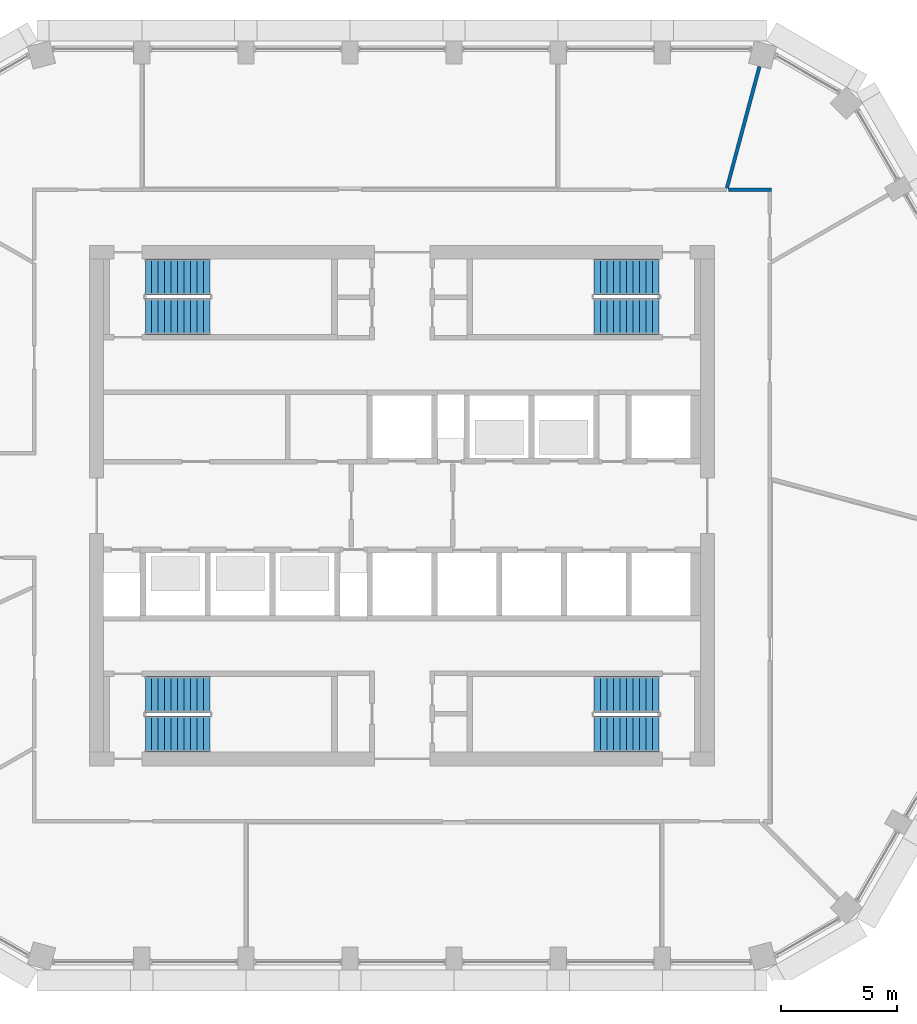
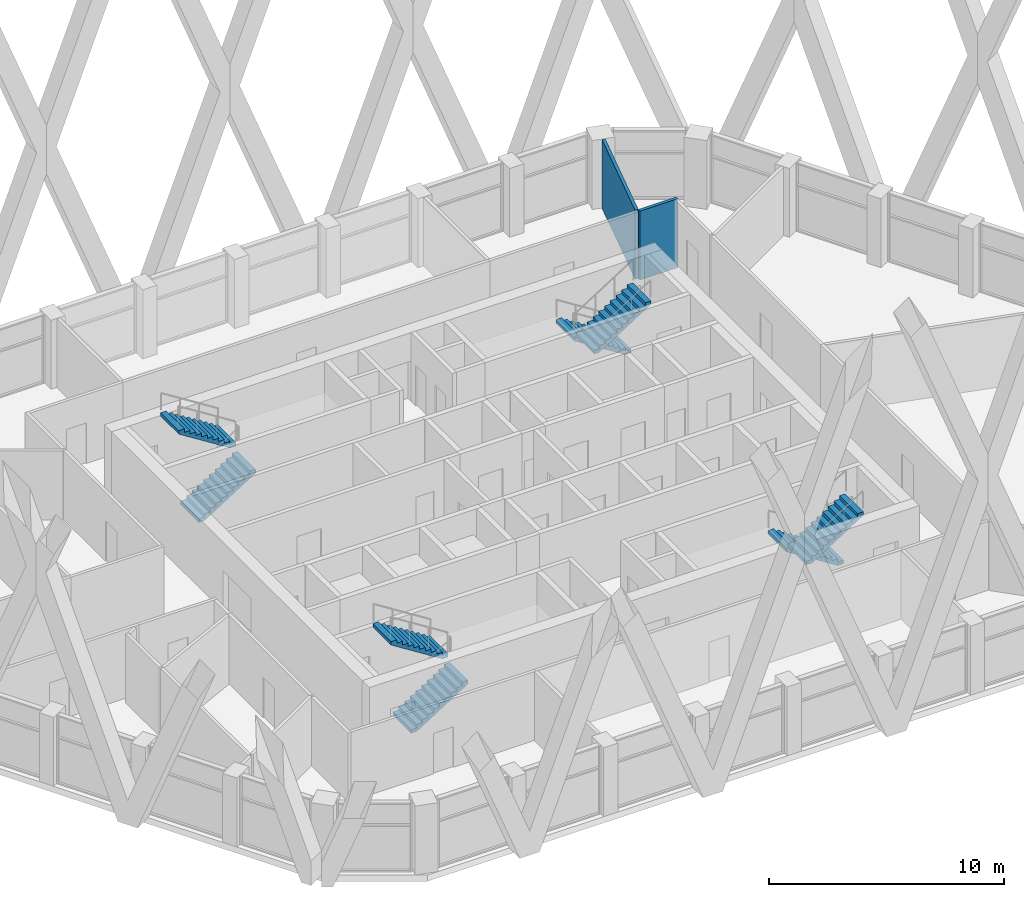
# One storey, part 12 of 20: 8 stair flights, 2 walls, 4 elements without a shape of their own.
"""IFC4 building model written with IfcOpenShell, lengths in metres."""

from ifc_helpers import new_model, si_unit, direction, frame, frame_2d, origin, place, context, subcontext, project, spatial, polyline, rectangle, outline, extrude, material, layer, layer_set, type_object, element, aggregate, save


model = new_model("IFC4")

# Units and contexts
model_context = context("Model", 3, precision=1e-05, world=origin(), true_north=direction((0.0, 1.0)))
body_context = subcontext(model_context, "Body", "Model", "MODEL_VIEW")
ifc_project = project(units=[si_unit("LENGTHUNIT", "METRE"), si_unit("AREAUNIT", "SQUARE_METRE"), si_unit("VOLUMEUNIT", "CUBIC_METRE"), si_unit("PLANEANGLEUNIT", "RADIAN"), si_unit("MASSUNIT", "GRAM", prefix="KILO")], contexts=[model_context])

# Site, building, storey
site_placement = place(None, origin())
site = spatial("IfcSite", under=ifc_project, at=site_placement, CompositionType="ELEMENT")
building_placement = place(site_placement, origin())
building = spatial("IfcBuilding", under=site, at=building_placement, Name="Dhurran Vertical Campus", CompositionType="ELEMENT")
storey_placement = place(building_placement, frame((0.0, 0.0, 235.199951171875)))
storey = spatial("IfcBuildingStorey", under=building, at=storey_placement, Name="L58", CompositionType="ELEMENT", Elevation=235.199951171875)

# Walls
ifc_material_1 = material(Name="Gypsum board corridor wall on steel studs", Category="steel")
ifc_layer_1 = layer(ifc_material_1, 0.14990234375)
ifc_layer_set_1 = layer_set([ifc_layer_1], Name="Gypsum board corridor wall on steel studs")
wall_type_1 = type_object("IfcWallType", Name="fl-CW-150 corridor wall", PredefinedType="PARTITIONING", material=ifc_layer_set_1)
wall_1_placement = place(storey_placement, frame((15.97509765625, 13.64990234375, 0.0), z_axis=(0.0, 0.0, 1.0), x_axis=(-1.0, 0.0, 0.0)))
element("IfcWall", 1, at=wall_1_placement, inside=storey, type_object=wall_type_1, Name="Partition 58-30", PredefinedType="PARTITIONING", context=body_context, shape_type="SweptSolid", body=[
    extrude(rectangle(XDim=1.85498046875, YDim=0.14990234375, at=frame_2d((0.927490234375, 0.0))), origin(), (0.0, 0.0, 1.0), 3.574951171875),
])
ifc_material_2 = material(Name="Gypsum board partition on steel studs", Category="steel")
ifc_layer_2 = layer(ifc_material_2, 0.14990234375)
ifc_layer_set_2 = layer_set([ifc_layer_2], Name="Gypsum board partition on steel studs")
wall_type_2 = type_object("IfcWallType", Name="fl-PW-150 fixed partition", PredefinedType="PARTITIONING", material=ifc_layer_set_2)
wall_2_placement = place(storey_placement, frame((15.451904296875, 18.9736328125, 0.0), z_axis=(0.0, 0.0, 1.0), x_axis=(-0.258889468925, -0.965906953531, 0.0)))
element("IfcWall", 2, at=wall_2_placement, inside=storey, type_object=wall_type_2, Name="Partition 58-29", PredefinedType="PARTITIONING", context=body_context, shape_type="SweptSolid", body=[
    extrude(rectangle(XDim=5.4365234375, YDim=0.14990234375, at=frame_2d((2.71826171875, 0.0))), origin(), (0.0, 0.0, 1.0), 3.574951171875),
])

# Stair, stair flights
ifc_material_3 = material(Name="Concrete C40/50", Category="concrete")
stair_type = type_object("IfcStairType", Name="co-ST-CORE", PredefinedType="HALF_TURN_STAIR", material=ifc_material_3)
stair_1_placement = place(storey_placement, origin())
stair_1 = element("IfcStair", 3, at=stair_1_placement, inside=storey, type_object=stair_type, Name="L58 Protected exit stair ST1", PredefinedType="HALF_TURN_STAIR")
ifc_material_4 = material(Name="Concrete C40/50", Category="concrete")
stair_flight_type = type_object("IfcStairFlightType", Name="co-SFL-RC", PredefinedType="STRAIGHT", material=ifc_material_4)
stair_flight_1_placement = place(storey_placement, frame((-11.10009765625, 8.175048828125, 0.0), z_axis=(0.0, 0.0, 1.0), x_axis=(1.0, 0.0, 0.0)))
stair_flight_1 = element("IfcStairFlight", 4, at=stair_flight_1_placement, type_object=stair_flight_type, Name="ST1 flight 1", NumberOfRisers=11, NumberOfTreads=10, PredefinedType="STRAIGHT", RiserHeight=0.177272727, TreadLength=0.28, context=body_context, shape_type="SweptSolid", body=[
    extrude(outline(polyline([(0.0, 0.0), (0.0, 0.17724609375), (0.280029296875, 0.17724609375), (0.280029296875, 0.3544921875), (0.56005859375, 0.3544921875), (0.56005859375, 0.53173828125), (0.840087890625, 0.53173828125), (0.840087890625, 0.708984375), (1.1201171875, 0.708984375), (1.1201171875, 0.886474609375), (1.39990234375, 0.886474609375), (1.39990234375, 1.063720703125), (1.679931640625, 1.063720703125), (1.679931640625, 1.240966796875), (1.9599609375, 1.240966796875), (1.9599609375, 1.418212890625), (2.239990234375, 1.418212890625), (2.239990234375, 1.595458984375), (2.52001953125, 1.595458984375), (2.52001953125, 1.772705078125), (2.800048828125, 1.772705078125), (2.800048828125, 1.949951171875), (2.800048828125, 1.59521484375), (0.2802734375, 0.0), (0.0, 0.0)])), frame((0.0, 0.77490234375, 0.0), z_axis=(0.0, -1.0, 0.0), x_axis=(1.0, 0.0, 0.0)), (0.0, 0.0, 1.0), 1.550048828125),
])
stair_flight_2_placement = place(storey_placement, frame((-8.300048828125, 9.875, 1.949951171875), z_axis=(0.0, 0.0, 1.0), x_axis=(-1.0, 0.0, 0.0)))
stair_flight_2 = element("IfcStairFlight", 5, at=stair_flight_2_placement, type_object=stair_flight_type, Name="ST1 flight 2", NumberOfRisers=11, NumberOfTreads=10, PredefinedType="STRAIGHT", RiserHeight=0.177272727, TreadLength=0.28, context=body_context, shape_type="SweptSolid", body=[
    extrude(outline(polyline([(0.0, 0.0), (0.0, 0.17724609375), (0.280029296875, 0.17724609375), (0.280029296875, 0.3544921875), (0.56005859375, 0.3544921875), (0.56005859375, 0.53173828125), (0.840087890625, 0.53173828125), (0.840087890625, 0.708984375), (1.1201171875, 0.708984375), (1.1201171875, 0.886474609375), (1.39990234375, 0.886474609375), (1.39990234375, 1.063720703125), (1.679931640625, 1.063720703125), (1.679931640625, 1.240966796875), (1.9599609375, 1.240966796875), (1.9599609375, 1.418212890625), (2.239990234375, 1.418212890625), (2.239990234375, 1.595458984375), (2.52001953125, 1.595458984375), (2.52001953125, 1.772705078125), (2.800048828125, 1.772705078125), (2.800048828125, 1.949951171875), (2.800048828125, 1.59521484375), (0.2802734375, 0.0), (0.0, 0.0)])), frame((0.0, 0.77490234375, 0.0), z_axis=(0.0, -1.0, 0.0), x_axis=(1.0, 0.0, 0.0)), (0.0, 0.0, 1.0), 1.550048828125),
])
aggregate(stair_1, [stair_flight_1, stair_flight_2])

stair_2_placement = place(storey_placement, origin())
stair_2 = element("IfcStair", 6, at=stair_2_placement, inside=storey, type_object=stair_type, Name="L58 Protected exit stair ST2", PredefinedType="HALF_TURN_STAIR")
stair_flight_3_placement = place(storey_placement, frame((11.10009765625, 9.875, 0.0), z_axis=(0.0, 0.0, 1.0), x_axis=(-1.0, 0.0, 0.0)))
stair_flight_3 = element("IfcStairFlight", 7, at=stair_flight_3_placement, type_object=stair_flight_type, Name="ST2 flight 1", NumberOfRisers=11, NumberOfTreads=10, PredefinedType="STRAIGHT", RiserHeight=0.177272727, TreadLength=0.28, context=body_context, shape_type="SweptSolid", body=[
    extrude(outline(polyline([(0.0, 0.0), (0.0, 0.17724609375), (0.280029296875, 0.17724609375), (0.280029296875, 0.3544921875), (0.56005859375, 0.3544921875), (0.56005859375, 0.53173828125), (0.840087890625, 0.53173828125), (0.840087890625, 0.708984375), (1.1201171875, 0.708984375), (1.1201171875, 0.886474609375), (1.39990234375, 0.886474609375), (1.39990234375, 1.063720703125), (1.679931640625, 1.063720703125), (1.679931640625, 1.240966796875), (1.9599609375, 1.240966796875), (1.9599609375, 1.418212890625), (2.239990234375, 1.418212890625), (2.239990234375, 1.595458984375), (2.52001953125, 1.595458984375), (2.52001953125, 1.772705078125), (2.800048828125, 1.772705078125), (2.800048828125, 1.949951171875), (2.800048828125, 1.59521484375), (0.2802734375, 0.0), (0.0, 0.0)])), frame((0.0, 0.77490234375, 0.0), z_axis=(0.0, -1.0, 0.0), x_axis=(1.0, 0.0, 0.0)), (0.0, 0.0, 1.0), 1.550048828125),
])
stair_flight_4_placement = place(storey_placement, frame((8.300048828125, 8.175048828125, 1.949951171875), z_axis=(0.0, 0.0, 1.0), x_axis=(1.0, 0.0, 0.0)))
stair_flight_4 = element("IfcStairFlight", 8, at=stair_flight_4_placement, type_object=stair_flight_type, Name="ST2 flight 2", NumberOfRisers=11, NumberOfTreads=10, PredefinedType="STRAIGHT", RiserHeight=0.177272727, TreadLength=0.28, context=body_context, shape_type="SweptSolid", body=[
    extrude(outline(polyline([(0.0, 0.0), (0.0, 0.17724609375), (0.280029296875, 0.17724609375), (0.280029296875, 0.3544921875), (0.56005859375, 0.3544921875), (0.56005859375, 0.53173828125), (0.840087890625, 0.53173828125), (0.840087890625, 0.708984375), (1.1201171875, 0.708984375), (1.1201171875, 0.886474609375), (1.39990234375, 0.886474609375), (1.39990234375, 1.063720703125), (1.679931640625, 1.063720703125), (1.679931640625, 1.240966796875), (1.9599609375, 1.240966796875), (1.9599609375, 1.418212890625), (2.239990234375, 1.418212890625), (2.239990234375, 1.595458984375), (2.52001953125, 1.595458984375), (2.52001953125, 1.772705078125), (2.800048828125, 1.772705078125), (2.800048828125, 1.949951171875), (2.800048828125, 1.59521484375), (0.2802734375, 0.0), (0.0, 0.0)])), frame((0.0, 0.77490234375, 0.0), z_axis=(0.0, -1.0, 0.0), x_axis=(1.0, 0.0, 0.0)), (0.0, 0.0, 1.0), 1.550048828125),
])
aggregate(stair_2, [stair_flight_3, stair_flight_4])

stair_3_placement = place(storey_placement, origin())
stair_3 = element("IfcStair", 9, at=stair_3_placement, inside=storey, type_object=stair_type, Name="L58 Protected exit stair ST3", PredefinedType="HALF_TURN_STAIR")
stair_flight_5_placement = place(storey_placement, frame((-11.10009765625, -9.875, 0.0), z_axis=(0.0, 0.0, 1.0), x_axis=(1.0, 0.0, 0.0)))
stair_flight_5 = element("IfcStairFlight", 10, at=stair_flight_5_placement, type_object=stair_flight_type, Name="ST3 flight 1", NumberOfRisers=11, NumberOfTreads=10, PredefinedType="STRAIGHT", RiserHeight=0.177272727, TreadLength=0.28, context=body_context, shape_type="SweptSolid", body=[
    extrude(outline(polyline([(0.0, 0.0), (0.0, 0.17724609375), (0.280029296875, 0.17724609375), (0.280029296875, 0.3544921875), (0.56005859375, 0.3544921875), (0.56005859375, 0.53173828125), (0.840087890625, 0.53173828125), (0.840087890625, 0.708984375), (1.1201171875, 0.708984375), (1.1201171875, 0.886474609375), (1.39990234375, 0.886474609375), (1.39990234375, 1.063720703125), (1.679931640625, 1.063720703125), (1.679931640625, 1.240966796875), (1.9599609375, 1.240966796875), (1.9599609375, 1.418212890625), (2.239990234375, 1.418212890625), (2.239990234375, 1.595458984375), (2.52001953125, 1.595458984375), (2.52001953125, 1.772705078125), (2.800048828125, 1.772705078125), (2.800048828125, 1.949951171875), (2.800048828125, 1.59521484375), (0.2802734375, 0.0), (0.0, 0.0)])), frame((0.0, 0.77490234375, 0.0), z_axis=(0.0, -1.0, 0.0), x_axis=(1.0, 0.0, 0.0)), (0.0, 0.0, 1.0), 1.550048828125),
])
stair_flight_6_placement = place(storey_placement, frame((-8.300048828125, -8.175048828125, 1.949951171875), z_axis=(0.0, 0.0, 1.0), x_axis=(-1.0, 0.0, 0.0)))
stair_flight_6 = element("IfcStairFlight", 11, at=stair_flight_6_placement, type_object=stair_flight_type, Name="ST3 flight 2", NumberOfRisers=11, NumberOfTreads=10, PredefinedType="STRAIGHT", RiserHeight=0.177272727, TreadLength=0.28, context=body_context, shape_type="SweptSolid", body=[
    extrude(outline(polyline([(0.0, 0.0), (0.0, 0.17724609375), (0.280029296875, 0.17724609375), (0.280029296875, 0.3544921875), (0.56005859375, 0.3544921875), (0.56005859375, 0.53173828125), (0.840087890625, 0.53173828125), (0.840087890625, 0.708984375), (1.1201171875, 0.708984375), (1.1201171875, 0.886474609375), (1.39990234375, 0.886474609375), (1.39990234375, 1.063720703125), (1.679931640625, 1.063720703125), (1.679931640625, 1.240966796875), (1.9599609375, 1.240966796875), (1.9599609375, 1.418212890625), (2.239990234375, 1.418212890625), (2.239990234375, 1.595458984375), (2.52001953125, 1.595458984375), (2.52001953125, 1.772705078125), (2.800048828125, 1.772705078125), (2.800048828125, 1.949951171875), (2.800048828125, 1.59521484375), (0.2802734375, 0.0), (0.0, 0.0)])), frame((0.0, 0.77490234375, 0.0), z_axis=(0.0, -1.0, 0.0), x_axis=(1.0, 0.0, 0.0)), (0.0, 0.0, 1.0), 1.550048828125),
])
aggregate(stair_3, [stair_flight_5, stair_flight_6])

stair_4_placement = place(storey_placement, origin())
stair_4 = element("IfcStair", 12, at=stair_4_placement, inside=storey, type_object=stair_type, Name="L58 Protected exit stair ST4", PredefinedType="HALF_TURN_STAIR")
stair_flight_7_placement = place(storey_placement, frame((11.10009765625, -8.175048828125, 0.0), z_axis=(0.0, 0.0, 1.0), x_axis=(-1.0, 0.0, 0.0)))
stair_flight_7 = element("IfcStairFlight", 13, at=stair_flight_7_placement, type_object=stair_flight_type, Name="ST4 flight 1", NumberOfRisers=11, NumberOfTreads=10, PredefinedType="STRAIGHT", RiserHeight=0.177272727, TreadLength=0.28, context=body_context, shape_type="SweptSolid", body=[
    extrude(outline(polyline([(0.0, 0.0), (0.0, 0.17724609375), (0.280029296875, 0.17724609375), (0.280029296875, 0.3544921875), (0.56005859375, 0.3544921875), (0.56005859375, 0.53173828125), (0.840087890625, 0.53173828125), (0.840087890625, 0.708984375), (1.1201171875, 0.708984375), (1.1201171875, 0.886474609375), (1.39990234375, 0.886474609375), (1.39990234375, 1.063720703125), (1.679931640625, 1.063720703125), (1.679931640625, 1.240966796875), (1.9599609375, 1.240966796875), (1.9599609375, 1.418212890625), (2.239990234375, 1.418212890625), (2.239990234375, 1.595458984375), (2.52001953125, 1.595458984375), (2.52001953125, 1.772705078125), (2.800048828125, 1.772705078125), (2.800048828125, 1.949951171875), (2.800048828125, 1.59521484375), (0.2802734375, 0.0), (0.0, 0.0)])), frame((0.0, 0.77490234375, 0.0), z_axis=(0.0, -1.0, 0.0), x_axis=(1.0, 0.0, 0.0)), (0.0, 0.0, 1.0), 1.550048828125),
])
stair_flight_8_placement = place(storey_placement, frame((8.300048828125, -9.875, 1.949951171875), z_axis=(0.0, 0.0, 1.0), x_axis=(1.0, 0.0, 0.0)))
stair_flight_8 = element("IfcStairFlight", 14, at=stair_flight_8_placement, type_object=stair_flight_type, Name="ST4 flight 2", NumberOfRisers=11, NumberOfTreads=10, PredefinedType="STRAIGHT", RiserHeight=0.177272727, TreadLength=0.28, context=body_context, shape_type="SweptSolid", body=[
    extrude(outline(polyline([(0.0, 0.0), (0.0, 0.17724609375), (0.280029296875, 0.17724609375), (0.280029296875, 0.3544921875), (0.56005859375, 0.3544921875), (0.56005859375, 0.53173828125), (0.840087890625, 0.53173828125), (0.840087890625, 0.708984375), (1.1201171875, 0.708984375), (1.1201171875, 0.886474609375), (1.39990234375, 0.886474609375), (1.39990234375, 1.063720703125), (1.679931640625, 1.063720703125), (1.679931640625, 1.240966796875), (1.9599609375, 1.240966796875), (1.9599609375, 1.418212890625), (2.239990234375, 1.418212890625), (2.239990234375, 1.595458984375), (2.52001953125, 1.595458984375), (2.52001953125, 1.772705078125), (2.800048828125, 1.772705078125), (2.800048828125, 1.949951171875), (2.800048828125, 1.59521484375), (0.2802734375, 0.0), (0.0, 0.0)])), frame((0.0, 0.77490234375, 0.0), z_axis=(0.0, -1.0, 0.0), x_axis=(1.0, 0.0, 0.0)), (0.0, 0.0, 1.0), 1.550048828125),
])
aggregate(stair_4, [stair_flight_7, stair_flight_8])

save(model, "model.ifc")
